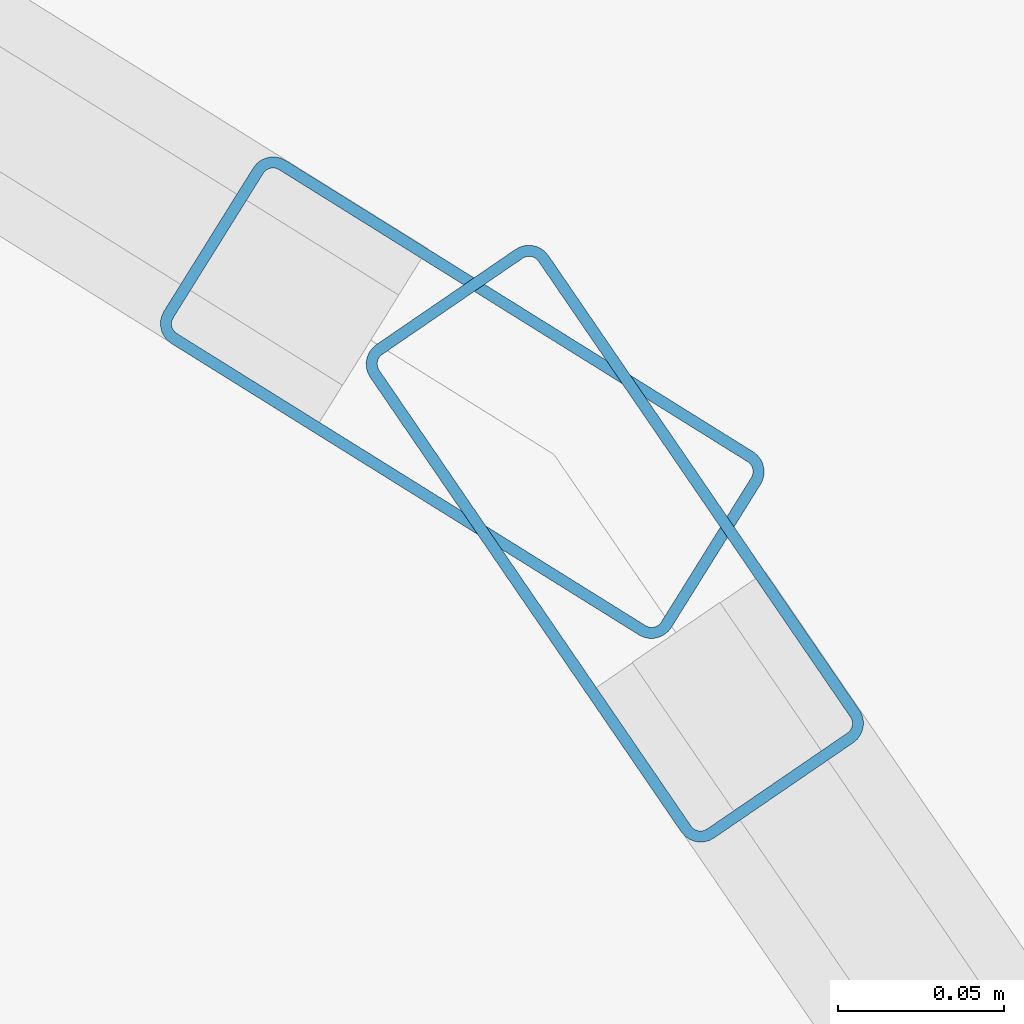
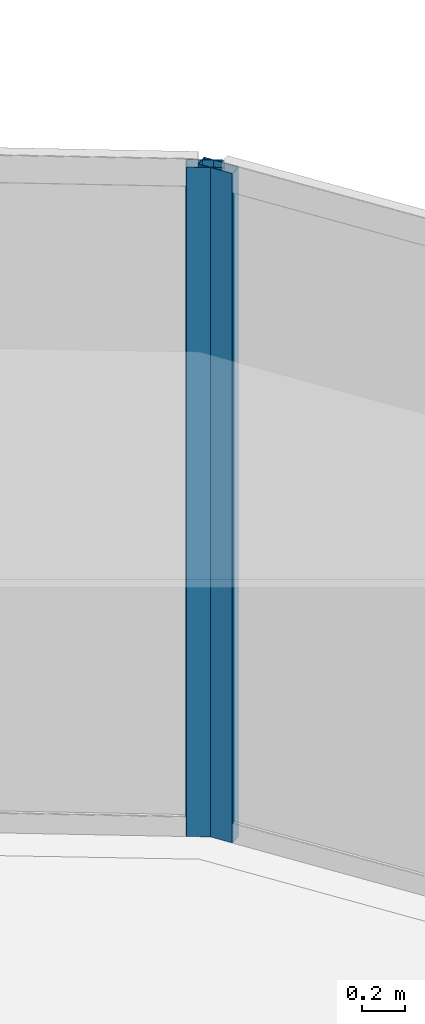
# One storey, part 20 of 33: 2 members, 2 elements without a shape of their own.
"""IFC4 building model written with IfcOpenShell, lengths in metres."""

from ifc_helpers import new_model, si_unit, direction, frame, origin, origin_2d, place, context, subcontext, project, spatial, hollow_rectangle, extrude, material, layer, layer_set, material_profile, profile_set, type_object, element, aggregate, save


model = new_model("IFC4")

# Units and contexts
model_context = context("Model", 3, precision=1e-05, world=origin(), true_north=direction((0.0, 1.0)))
body_context = subcontext(model_context, "Body", "Model", "MODEL_VIEW")
ifc_project = project(units=[si_unit("LENGTHUNIT", "METRE"), si_unit("AREAUNIT", "SQUARE_METRE"), si_unit("VOLUMEUNIT", "CUBIC_METRE"), si_unit("PLANEANGLEUNIT", "RADIAN"), si_unit("MASSUNIT", "GRAM", prefix="KILO")], contexts=[model_context])

# Site, building, storey
site_placement = place(None, origin())
site = spatial("IfcSite", under=ifc_project, at=site_placement, CompositionType="ELEMENT")
building_placement = place(site_placement, origin())
building = spatial("IfcBuilding", under=site, at=building_placement, Name="Qorvath Tower", CompositionType="ELEMENT")
storey_placement = place(building_placement, frame((0.0, 0.0, 221.25)))
storey = spatial("IfcBuildingStorey", under=building, at=storey_placement, Name="L51", CompositionType="ELEMENT", Elevation=221.25)

# Curtain wall, member
ifc_material_1 = material(Name="Anodised aluminium and triple low-E glass", Category="aluminium")
ifc_layer = layer(ifc_material_1, 0.179931640625)
ifc_layer_set = layer_set([ifc_layer], Name="CW-SYS-3")
curtain_wall_type = type_object("IfcCurtainWallType", Name="CW-SYS-3", PredefinedType="NOTDEFINED", material=ifc_layer_set)
curtain_wall_1_placement = place(storey_placement, origin())
curtain_wall_1 = element("IfcCurtainWall", 1, at=curtain_wall_1_placement, inside=storey, type_object=curtain_wall_type, Name="Curtain Wall CW-3 CW-T-L51-13.1", PredefinedType="NOTDEFINED")
ifc_material_2 = material(Name="Anodised aluminium 6063-T6", Category="aluminium")
ifc_material_profile = material_profile(ifc_material_2, hollow_rectangle(XDim=0.06494140625, YDim=0.179931640625, WallThickness=0.00341796875, InnerFilletRadius=0.00341796875, OuterFilletRadius=0.007080078125, at=origin_2d()), Name="CWM 180x65")
ifc_profile_set = profile_set([ifc_material_profile], Name="Anodised aluminium 6063-T6")
member_type = type_object("IfcMemberType", Name="CWM-180", PredefinedType="MULLION", material=ifc_profile_set)
member_1_placement = place(storey_placement, frame((-6.9111328125, 20.11083984375, 0.0), z_axis=(0.0, 0.0, 1.0), x_axis=(-0.825264440165, -0.564746495163, 0.0)))
member_1 = element("IfcMember", 2, at=member_1_placement, type_object=member_type, Name="CW-3 mullion 2", PredefinedType="MULLION", context=body_context, shape_type="SweptSolid", body=[
    extrude(hollow_rectangle(XDim=0.06494140625, YDim=0.179931640625, WallThickness=0.00341796875, InnerFilletRadius=0.00341796875, OuterFilletRadius=0.007080078125, at=origin_2d()), origin(), (0.0, 0.0, 1.0), 3.780029296875),
])
aggregate(curtain_wall_1, [member_1])

curtain_wall_2_placement = place(storey_placement, origin())
curtain_wall_2 = element("IfcCurtainWall", 3, at=curtain_wall_2_placement, inside=storey, type_object=curtain_wall_type, Name="Curtain Wall CW-3 CW-T-L51-14.1", PredefinedType="NOTDEFINED")
member_2_placement = place(storey_placement, frame((-6.95703125, 20.15478515625, 0.0), z_axis=(0.0, 0.0, 1.0), x_axis=(-0.528981931327, -0.848633086987, 0.0)))
member_2 = element("IfcMember", 4, at=member_2_placement, type_object=member_type, Name="CW-3 mullion 1", PredefinedType="MULLION", context=body_context, shape_type="SweptSolid", body=[
    extrude(hollow_rectangle(XDim=0.06494140625, YDim=0.179931640625, WallThickness=0.00341796875, InnerFilletRadius=0.00341796875, OuterFilletRadius=0.007080078125, at=origin_2d()), origin(), (0.0, 0.0, 1.0), 3.780029296875),
])
aggregate(curtain_wall_2, [member_2])

save(model, "model.ifc")
